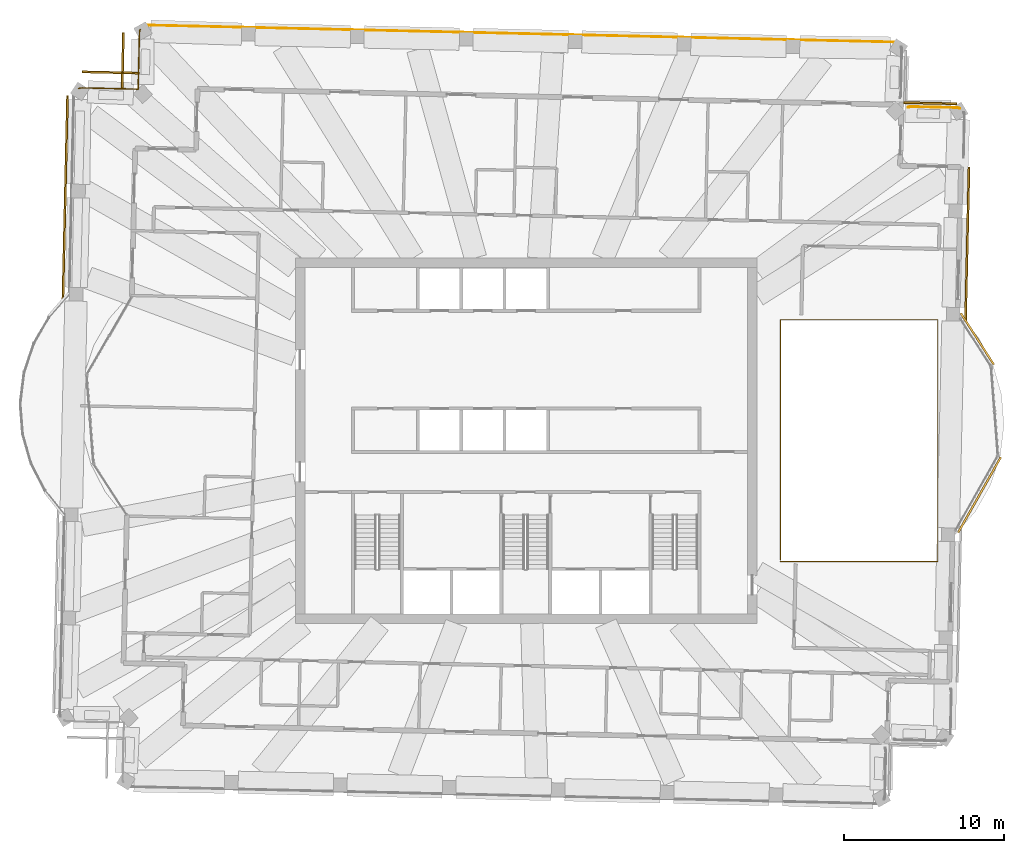
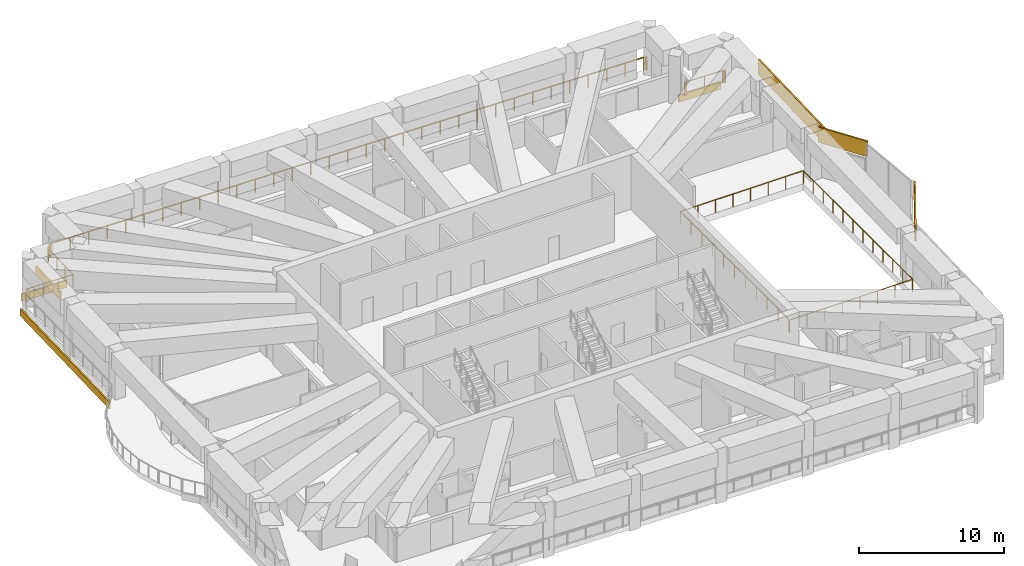
# One storey, part 16 of 17: 7 coverings, 4 railings.
"""IFC4 building model written with IfcOpenShell, lengths in metres."""

from ifc_helpers import new_model, si_unit, direction, frame, frame_2d, origin, origin_2d, place, context, subcontext, project, spatial, rectangle, extrude, material, layer, layer_set, type_object, element, save


model = new_model("IFC4")

# Units and contexts
model_context = context("Model", 3, precision=1e-05, world=origin(), true_north=direction((0.0, 1.0)))
body_context = subcontext(model_context, "Body", "Model", "MODEL_VIEW")
ifc_project = project(units=[si_unit("LENGTHUNIT", "METRE"), si_unit("AREAUNIT", "SQUARE_METRE"), si_unit("VOLUMEUNIT", "CUBIC_METRE"), si_unit("PLANEANGLEUNIT", "RADIAN"), si_unit("MASSUNIT", "GRAM", prefix="KILO")], contexts=[model_context])

# Site, building, storey
site_placement = place(None, origin())
site = spatial("IfcSite", under=ifc_project, at=site_placement, CompositionType="ELEMENT")
building_placement = place(site_placement, origin())
building = spatial("IfcBuilding", under=site, at=building_placement, Name="Mangrove Gate Tower", CompositionType="ELEMENT")
storey_placement = place(building_placement, frame((0.0, 0.0, 337.89990234375)))
storey = spatial("IfcBuildingStorey", under=building, at=storey_placement, Name="L86", CompositionType="ELEMENT", Elevation=337.89990234375)

# Railings
ifc_material_1 = material(Name="Stainless steel grade 316 with laminated glass infill", Category="steel")
railing_type = type_object("IfcRailingType", Name="Balcony guard 1100", PredefinedType="GUARDRAIL", material=ifc_material_1)
railing_1_placement = place(storey_placement, frame((15.860107421875, -7.5400390625, 0.0)))
element("IfcRailing", 1, at=railing_1_placement, inside=storey, type_object=railing_type, Name="GUARD L86 atrium", PredefinedType="GUARDRAIL", context=body_context, shape_type="SweptSolid", body=[
    extrude(rectangle(XDim=0.048095703125, YDim=0.048095703125, at=origin_2d()), frame((0.0, 0.0, 1.076171875), z_axis=(1.0, 0.0, 0.0), x_axis=(0.0, 1.0, 0.0)), (0.0, 0.0, 1.0), 9.802978515625),
    extrude(rectangle(XDim=0.048095703125, YDim=0.048095703125, at=origin_2d()), frame((9.802978515625, 0.0, 1.076171875), z_axis=(0.0, 1.0, 0.0), x_axis=(-1.0, 0.0, 0.0)), (0.0, 0.0, 1.0), 15.080078125),
    extrude(rectangle(XDim=0.048095703125, YDim=0.048095703125, at=origin_2d()), frame((9.802978515625, 15.080078125, 1.076171875), z_axis=(-1.0, 0.0, 0.0), x_axis=(0.0, -1.0, 0.0)), (0.0, 0.0, 1.0), 9.802978515625),
    extrude(rectangle(XDim=0.048095703125, YDim=0.048095703125, at=origin_2d()), frame((0.0, 15.080078125, 1.076171875), z_axis=(0.0, -1.0, 0.0), x_axis=(1.0, 0.0, 0.0)), (0.0, 0.0, 1.0), 14.9599609375),
    extrude(rectangle(XDim=0.0419921875, YDim=0.0419921875, at=origin_2d()), origin(), (0.0, 0.0, 1.0), 1.052001953125),
    extrude(rectangle(XDim=0.0419921875, YDim=0.0419921875, at=origin_2d()), frame((1.400390625, 0.0, 0.0)), (0.0, 0.0, 1.0), 1.052001953125),
    extrude(rectangle(XDim=0.0419921875, YDim=0.0419921875, at=origin_2d()), frame((2.80078125, 0.0, 0.0)), (0.0, 0.0, 1.0), 1.052001953125),
    extrude(rectangle(XDim=0.0419921875, YDim=0.0419921875, at=origin_2d()), frame((4.201171875, 0.0, 0.0)), (0.0, 0.0, 1.0), 1.052001953125),
    extrude(rectangle(XDim=0.0419921875, YDim=0.0419921875, at=origin_2d()), frame((5.601806640625, 0.0, 0.0)), (0.0, 0.0, 1.0), 1.052001953125),
    extrude(rectangle(XDim=0.0419921875, YDim=0.0419921875, at=origin_2d()), frame((7.002197265625, 0.0, 0.0)), (0.0, 0.0, 1.0), 1.052001953125),
    extrude(rectangle(XDim=0.0419921875, YDim=0.0419921875, at=origin_2d()), frame((8.402587890625, 0.0, 0.0)), (0.0, 0.0, 1.0), 1.052001953125),
    extrude(rectangle(XDim=0.0419921875, YDim=0.0419921875, at=origin_2d()), frame((9.802978515625, 0.0, 0.0)), (0.0, 0.0, 1.0), 1.052001953125),
    extrude(rectangle(XDim=0.0419921875, YDim=0.0419921875, at=origin_2d()), frame((9.802978515625, 1.370849609375, 0.0)), (0.0, 0.0, 1.0), 1.052001953125),
    extrude(rectangle(XDim=0.0419921875, YDim=0.0419921875, at=origin_2d()), frame((9.802978515625, 2.741943359375, 0.0)), (0.0, 0.0, 1.0), 1.052001953125),
    extrude(rectangle(XDim=0.0419921875, YDim=0.0419921875, at=origin_2d()), frame((9.802978515625, 4.11279296875, 0.0)), (0.0, 0.0, 1.0), 1.052001953125),
    extrude(rectangle(XDim=0.0419921875, YDim=0.0419921875, at=origin_2d()), frame((9.802978515625, 5.483642578125, 0.0)), (0.0, 0.0, 1.0), 1.052001953125),
    extrude(rectangle(XDim=0.0419921875, YDim=0.0419921875, at=origin_2d()), frame((9.802978515625, 6.8544921875, 0.0)), (0.0, 0.0, 1.0), 1.052001953125),
    extrude(rectangle(XDim=0.0419921875, YDim=0.0419921875, at=origin_2d()), frame((9.802978515625, 8.2255859375, 0.0)), (0.0, 0.0, 1.0), 1.052001953125),
    extrude(rectangle(XDim=0.0419921875, YDim=0.0419921875, at=origin_2d()), frame((9.802978515625, 9.596435546875, 0.0)), (0.0, 0.0, 1.0), 1.052001953125),
    extrude(rectangle(XDim=0.0419921875, YDim=0.0419921875, at=origin_2d()), frame((9.802978515625, 10.96728515625, 0.0)), (0.0, 0.0, 1.0), 1.052001953125),
    extrude(rectangle(XDim=0.0419921875, YDim=0.0419921875, at=origin_2d()), frame((9.802978515625, 12.338134765625, 0.0)), (0.0, 0.0, 1.0), 1.052001953125),
    extrude(rectangle(XDim=0.0419921875, YDim=0.0419921875, at=origin_2d()), frame((9.802978515625, 13.709228515625, 0.0)), (0.0, 0.0, 1.0), 1.052001953125),
    extrude(rectangle(XDim=0.0419921875, YDim=0.0419921875, at=origin_2d()), frame((9.802978515625, 15.080078125, 0.0)), (0.0, 0.0, 1.0), 1.052001953125),
    extrude(rectangle(XDim=0.0419921875, YDim=0.0419921875, at=origin_2d()), frame((8.402587890625, 15.080078125, 0.0)), (0.0, 0.0, 1.0), 1.052001953125),
    extrude(rectangle(XDim=0.0419921875, YDim=0.0419921875, at=origin_2d()), frame((7.002197265625, 15.080078125, 0.0)), (0.0, 0.0, 1.0), 1.052001953125),
    extrude(rectangle(XDim=0.0419921875, YDim=0.0419921875, at=origin_2d()), frame((5.601806640625, 15.080078125, 0.0)), (0.0, 0.0, 1.0), 1.052001953125),
    extrude(rectangle(XDim=0.0419921875, YDim=0.0419921875, at=origin_2d()), frame((4.201171875, 15.080078125, 0.0)), (0.0, 0.0, 1.0), 1.052001953125),
    extrude(rectangle(XDim=0.0419921875, YDim=0.0419921875, at=origin_2d()), frame((2.80078125, 15.080078125, 0.0)), (0.0, 0.0, 1.0), 1.052001953125),
    extrude(rectangle(XDim=0.0419921875, YDim=0.0419921875, at=origin_2d()), frame((1.400390625, 15.080078125, 0.0)), (0.0, 0.0, 1.0), 1.052001953125),
    extrude(rectangle(XDim=0.0419921875, YDim=0.0419921875, at=origin_2d()), frame((0.0, 15.080078125, 0.0)), (0.0, 0.0, 1.0), 1.052001953125),
    extrude(rectangle(XDim=0.0419921875, YDim=0.0419921875, at=origin_2d()), frame((0.0, 13.583984375, 0.0)), (0.0, 0.0, 1.0), 1.052001953125),
    extrude(rectangle(XDim=0.0419921875, YDim=0.0419921875, at=origin_2d()), frame((0.0, 12.088134765625, 0.0)), (0.0, 0.0, 1.0), 1.052001953125),
    extrude(rectangle(XDim=0.0419921875, YDim=0.0419921875, at=origin_2d()), frame((0.0, 10.592041015625, 0.0)), (0.0, 0.0, 1.0), 1.052001953125),
    extrude(rectangle(XDim=0.0419921875, YDim=0.0419921875, at=origin_2d()), frame((0.0, 9.09619140625, 0.0)), (0.0, 0.0, 1.0), 1.052001953125),
    extrude(rectangle(XDim=0.0419921875, YDim=0.0419921875, at=origin_2d()), frame((0.0, 7.60009765625, 0.0)), (0.0, 0.0, 1.0), 1.052001953125),
    extrude(rectangle(XDim=0.0419921875, YDim=0.0419921875, at=origin_2d()), frame((0.0, 6.10400390625, 0.0)), (0.0, 0.0, 1.0), 1.052001953125),
    extrude(rectangle(XDim=0.0419921875, YDim=0.0419921875, at=origin_2d()), frame((0.0, 4.608154296875, 0.0)), (0.0, 0.0, 1.0), 1.052001953125),
    extrude(rectangle(XDim=0.0419921875, YDim=0.0419921875, at=origin_2d()), frame((0.0, 3.112060546875, 0.0)), (0.0, 0.0, 1.0), 1.052001953125),
    extrude(rectangle(XDim=0.0419921875, YDim=0.0419921875, at=origin_2d()), frame((0.0, 1.6162109375, 0.0)), (0.0, 0.0, 1.0), 1.052001953125),
    extrude(rectangle(XDim=0.0419921875, YDim=0.0419921875, at=origin_2d()), frame((0.0, 0.1201171875, 0.0)), (0.0, 0.0, 1.0), 1.052001953125),
])
railing_2_placement = place(storey_placement, frame((23.823974609375, 20.778076171875, 0.0)))
element("IfcRailing", 2, at=railing_2_placement, inside=storey, type_object=railing_type, Name="GUARD L86 T1.1", PredefinedType="GUARDRAIL", context=body_context, shape_type="SweptSolid", body=[
    extrude(rectangle(XDim=0.048095703125, YDim=0.048095703125, at=origin_2d()), frame((0.0, 0.0, 1.076171875), z_axis=(0.916361402872, 0.400352069216, 0.0), x_axis=(-0.400352069216, 0.916361402872, 0.0)), (0.0, 0.0, 1.0), 0.02734375),
    extrude(rectangle(XDim=0.048095703125, YDim=0.048095703125, at=origin_2d()), frame((0.025146484375, 0.010986328125, 1.076171875), z_axis=(0.947192919233, 0.320664269532, 0.0), x_axis=(-0.320664269532, 0.947192919233, 0.0)), (0.0, 0.0, 1.0), 0.049560546875),
    extrude(rectangle(XDim=0.048095703125, YDim=0.048095703125, at=origin_2d()), frame((0.072021484375, 0.02685546875, 1.076171875), z_axis=(0.974889210585, 0.222690428814, 0.0), x_axis=(-0.222690428814, 0.974889210585, 0.0)), (0.0, 0.0, 1.0), 0.04931640625),
    extrude(rectangle(XDim=0.048095703125, YDim=0.048095703125, at=origin_2d()), frame((0.1201171875, 0.037841796875, 1.076171875), z_axis=(0.992277876714, 0.124034734589, 0.0), x_axis=(-0.124034734589, 0.992277876714, 0.0)), (0.0, 0.0, 1.0), 0.04931640625),
    extrude(rectangle(XDim=0.048095703125, YDim=0.048095703125, at=origin_2d()), frame((0.1689453125, 0.0439453125, 1.076171875), z_axis=(0.999802043895, 0.019896558087, 0.0), x_axis=(-0.019896558087, 0.999802043895, 0.0)), (0.0, 0.0, 1.0), 0.049072265625),
    extrude(rectangle(XDim=0.048095703125, YDim=0.048095703125, at=origin_2d()), frame((0.218017578125, 0.044921875, 1.076171875), z_axis=(0.999746897525, -0.022497575191, 0.0), x_axis=(0.022497575191, 0.999746897525, 0.0)), (0.0, 0.0, 1.0), 2.7998046875),
    extrude(rectangle(XDim=0.048095703125, YDim=0.048095703125, at=origin_2d()), frame((3.01708984375, -0.01806640625, 1.076171875), z_axis=(0.996815278536, -0.079745222283, 0.0), x_axis=(0.079745222283, 0.996815278536, 0.0)), (0.0, 0.0, 1.0), 0.049072265625),
    extrude(rectangle(XDim=0.048095703125, YDim=0.048095703125, at=origin_2d()), frame((3.06591796875, -0.02197265625, 1.076171875), z_axis=(0.986258281976, -0.165210778199, 0.0), x_axis=(0.165210778199, 0.986258281976, 0.0)), (0.0, 0.0, 1.0), 0.048828125),
    extrude(rectangle(XDim=0.048095703125, YDim=0.048095703125, at=origin_2d()), frame((3.114013671875, -0.030029296875, 1.076171875), z_axis=(0.964301134924, -0.264808083684, 0.0), x_axis=(0.264808083684, 0.964301134924, 0.0)), (0.0, 0.0, 1.0), 0.048828125),
    extrude(rectangle(XDim=0.048095703125, YDim=0.048095703125, at=origin_2d()), frame((3.1611328125, -0.04296875, 1.076171875), z_axis=(0.930510652004, -0.366264831108, 0.0), x_axis=(0.366264831108, 0.930510652004, 0.0)), (0.0, 0.0, 1.0), 0.04931640625),
    extrude(rectangle(XDim=0.048095703125, YDim=0.048095703125, at=origin_2d()), frame((3.20703125, -0.06103515625, 1.076171875), z_axis=(0.901385111422, -0.43301833784, 0.0), x_axis=(0.43301833784, 0.901385111422, 0.0)), (0.0, 0.0, 1.0), 0.027587890625),
    extrude(rectangle(XDim=0.0419921875, YDim=0.0419921875, at=origin_2d()), origin(), (0.0, 0.0, 1.0), 1.052001953125),
    extrude(rectangle(XDim=0.0419921875, YDim=0.0419921875, at=origin_2d()), frame((0.025146484375, 0.010986328125, 0.0)), (0.0, 0.0, 1.0), 1.052001953125),
    extrude(rectangle(XDim=0.0419921875, YDim=0.0419921875, at=origin_2d()), frame((0.072021484375, 0.02685546875, 0.0)), (0.0, 0.0, 1.0), 1.052001953125),
    extrude(rectangle(XDim=0.0419921875, YDim=0.0419921875, at=origin_2d()), frame((0.1201171875, 0.037841796875, 0.0)), (0.0, 0.0, 1.0), 1.052001953125),
    extrude(rectangle(XDim=0.0419921875, YDim=0.0419921875, at=origin_2d()), frame((0.1689453125, 0.0439453125, 0.0)), (0.0, 0.0, 1.0), 1.052001953125),
    extrude(rectangle(XDim=0.0419921875, YDim=0.0419921875, at=origin_2d()), frame((0.218017578125, 0.044921875, 0.0)), (0.0, 0.0, 1.0), 1.052001953125),
    extrude(rectangle(XDim=0.0419921875, YDim=0.0419921875, at=origin_2d()), frame((1.61767578125, 0.013427734375, 0.0)), (0.0, 0.0, 1.0), 1.052001953125),
    extrude(rectangle(XDim=0.0419921875, YDim=0.0419921875, at=origin_2d()), frame((3.01708984375, -0.01806640625, 0.0)), (0.0, 0.0, 1.0), 1.052001953125),
    extrude(rectangle(XDim=0.0419921875, YDim=0.0419921875, at=origin_2d()), frame((3.06591796875, -0.02197265625, 0.0)), (0.0, 0.0, 1.0), 1.052001953125),
    extrude(rectangle(XDim=0.0419921875, YDim=0.0419921875, at=origin_2d()), frame((3.114013671875, -0.030029296875, 0.0)), (0.0, 0.0, 1.0), 1.052001953125),
    extrude(rectangle(XDim=0.0419921875, YDim=0.0419921875, at=origin_2d()), frame((3.1611328125, -0.04296875, 0.0)), (0.0, 0.0, 1.0), 1.052001953125),
    extrude(rectangle(XDim=0.0419921875, YDim=0.0419921875, at=origin_2d()), frame((3.20703125, -0.06103515625, 0.0)), (0.0, 0.0, 1.0), 1.052001953125),
    extrude(rectangle(XDim=0.0419921875, YDim=0.0419921875, at=origin_2d()), frame((3.23193359375, -0.072998046875, 0.0)), (0.0, 0.0, 1.0), 1.052001953125),
])
railing_3_placement = place(storey_placement, frame((-27.9130859375, 21.951904296875, 0.0)))
element("IfcRailing", 3, at=railing_3_placement, inside=storey, type_object=railing_type, Name="GUARD L86 T3.2", PredefinedType="GUARDRAIL", context=body_context, shape_type="SweptSolid", body=[
    extrude(rectangle(XDim=0.048095703125, YDim=0.048095703125, at=origin_2d()), frame((0.0, 0.0, 1.076171875), z_axis=(0.905966711775, 0.423348930736, 0.0), x_axis=(-0.423348930736, 0.905966711775, 0.0)), (0.0, 0.0, 1.0), 0.02880859375),
    extrude(rectangle(XDim=0.048095703125, YDim=0.048095703125, at=origin_2d()), frame((0.026123046875, 0.01220703125, 1.076171875), z_axis=(0.95118268282, 0.308628423681, 0.0), x_axis=(-0.308628423681, 0.95118268282, 0.0)), (0.0, 0.0, 1.0), 0.04833984375),
    extrude(rectangle(XDim=0.048095703125, YDim=0.048095703125, at=origin_2d()), frame((0.072021484375, 0.027099609375, 1.076171875), z_axis=(0.974889210585, 0.222690428814, 0.0), x_axis=(-0.222690428814, 0.974889210585, 0.0)), (0.0, 0.0, 1.0), 0.04931640625),
    extrude(rectangle(XDim=0.048095703125, YDim=0.048095703125, at=origin_2d()), frame((0.1201171875, 0.0380859375, 1.076171875), z_axis=(0.992353645783, 0.123427070371, 0.0), x_axis=(-0.123427070371, 0.992353645783, 0.0)), (0.0, 0.0, 1.0), 0.049560546875),
    extrude(rectangle(XDim=0.048095703125, YDim=0.048095703125, at=origin_2d()), frame((0.169189453125, 0.044189453125, 1.076171875), z_axis=(0.99980005998, 0.0199960012, 0.0), x_axis=(-0.0199960012, 0.99980005998, 0.0)), (0.0, 0.0, 1.0), 0.048828125),
    extrude(rectangle(XDim=0.048095703125, YDim=0.048095703125, at=origin_2d()), frame((0.218017578125, 0.045166015625, 1.076171875), z_axis=(0.999742810293, -0.022678475848, 0.0), x_axis=(0.022678475848, 0.999742810293, 0.0)), (0.0, 0.0, 1.0), 3.488037109375),
    extrude(rectangle(XDim=0.048095703125, YDim=0.048095703125, at=origin_2d()), frame((3.705078125, -0.033935546875, 1.076171875), z_axis=(1.0, 0.0, 0.0), x_axis=(0.0, 1.0, 0.0)), (0.0, 0.0, 1.0), 0.010986328125),
    extrude(rectangle(XDim=0.048095703125, YDim=0.048095703125, at=origin_2d()), frame((3.716064453125, -0.033935546875, 1.076171875), z_axis=(0.081362009455, 0.996684615823, 0.0), x_axis=(-0.996684615823, 0.081362009455, 0.0)), (0.0, 0.0, 1.0), 0.011962890625),
    extrude(rectangle(XDim=0.048095703125, YDim=0.048095703125, at=origin_2d()), frame((3.717041015625, -0.02197265625, 1.076171875), z_axis=(0.022678475848, 0.999742810293, 0.0), x_axis=(-0.999742810293, 0.022678475848, 0.0)), (0.0, 0.0, 1.0), 3.488037109375),
    extrude(rectangle(XDim=0.048095703125, YDim=0.048095703125, at=origin_2d()), frame((3.796142578125, 3.465087890625, 1.076171875), z_axis=(0.079350984209, 0.996846739125, 0.0), x_axis=(-0.996846739125, 0.079350984209, 0.0)), (0.0, 0.0, 1.0), 0.04931640625),
    extrude(rectangle(XDim=0.048095703125, YDim=0.048095703125, at=origin_2d()), frame((3.800048828125, 3.51416015625, 1.076171875), z_axis=(0.166030511863, 0.986120615914, 0.0), x_axis=(-0.986120615914, 0.166030511863, 0.0)), (0.0, 0.0, 1.0), 0.048583984375),
    extrude(rectangle(XDim=0.048095703125, YDim=0.048095703125, at=origin_2d()), frame((3.80810546875, 3.56201171875, 1.076171875), z_axis=(0.259797678908, 0.965663070659, 0.0), x_axis=(-0.965663070659, 0.259797678908, 0.0)), (0.0, 0.0, 1.0), 0.0498046875),
    extrude(rectangle(XDim=0.048095703125, YDim=0.048095703125, at=origin_2d()), frame((3.821044921875, 3.610107421875, 1.076171875), z_axis=(0.373128742496, 0.927779575936, 0.0), x_axis=(-0.927779575936, 0.373128742496, 0.0)), (0.0, 0.0, 1.0), 0.04833984375),
    extrude(rectangle(XDim=0.048095703125, YDim=0.048095703125, at=origin_2d()), frame((3.839111328125, 3.655029296875, 1.076171875), z_axis=(0.429593233056, 0.903022510302, 0.0), x_axis=(-0.903022510302, 0.429593233056, 0.0)), (0.0, 0.0, 1.0), 0.02783203125),
    extrude(rectangle(XDim=0.0419921875, YDim=0.0419921875, at=origin_2d()), origin(), (0.0, 0.0, 1.0), 1.052001953125),
    extrude(rectangle(XDim=0.0419921875, YDim=0.0419921875, at=origin_2d()), frame((0.026123046875, 0.01220703125, 0.0)), (0.0, 0.0, 1.0), 1.052001953125),
    extrude(rectangle(XDim=0.0419921875, YDim=0.0419921875, at=origin_2d()), frame((0.072021484375, 0.027099609375, 0.0)), (0.0, 0.0, 1.0), 1.052001953125),
    extrude(rectangle(XDim=0.0419921875, YDim=0.0419921875, at=origin_2d()), frame((0.1201171875, 0.0380859375, 0.0)), (0.0, 0.0, 1.0), 1.052001953125),
    extrude(rectangle(XDim=0.0419921875, YDim=0.0419921875, at=origin_2d()), frame((0.169189453125, 0.044189453125, 0.0)), (0.0, 0.0, 1.0), 1.052001953125),
    extrude(rectangle(XDim=0.0419921875, YDim=0.0419921875, at=origin_2d()), frame((0.218017578125, 0.045166015625, 0.0)), (0.0, 0.0, 1.0), 1.052001953125),
    extrude(rectangle(XDim=0.0419921875, YDim=0.0419921875, at=origin_2d()), frame((1.38037109375, 0.018798828125, 0.0)), (0.0, 0.0, 1.0), 1.052001953125),
    extrude(rectangle(XDim=0.0419921875, YDim=0.0419921875, at=origin_2d()), frame((2.542724609375, -0.007568359375, 0.0)), (0.0, 0.0, 1.0), 1.052001953125),
    extrude(rectangle(XDim=0.0419921875, YDim=0.0419921875, at=origin_2d()), frame((3.705078125, -0.033935546875, 0.0)), (0.0, 0.0, 1.0), 1.052001953125),
    extrude(rectangle(XDim=0.0419921875, YDim=0.0419921875, at=origin_2d()), frame((3.716064453125, -0.033935546875, 0.0)), (0.0, 0.0, 1.0), 1.052001953125),
    extrude(rectangle(XDim=0.0419921875, YDim=0.0419921875, at=origin_2d()), frame((3.717041015625, -0.02197265625, 0.0)), (0.0, 0.0, 1.0), 1.052001953125),
    extrude(rectangle(XDim=0.0419921875, YDim=0.0419921875, at=origin_2d()), frame((3.743408203125, 1.140380859375, 0.0)), (0.0, 0.0, 1.0), 1.052001953125),
    extrude(rectangle(XDim=0.0419921875, YDim=0.0419921875, at=origin_2d()), frame((3.769775390625, 2.302734375, 0.0)), (0.0, 0.0, 1.0), 1.052001953125),
    extrude(rectangle(XDim=0.0419921875, YDim=0.0419921875, at=origin_2d()), frame((3.796142578125, 3.465087890625, 0.0)), (0.0, 0.0, 1.0), 1.052001953125),
    extrude(rectangle(XDim=0.0419921875, YDim=0.0419921875, at=origin_2d()), frame((3.800048828125, 3.51416015625, 0.0)), (0.0, 0.0, 1.0), 1.052001953125),
    extrude(rectangle(XDim=0.0419921875, YDim=0.0419921875, at=origin_2d()), frame((3.80810546875, 3.56201171875, 0.0)), (0.0, 0.0, 1.0), 1.052001953125),
    extrude(rectangle(XDim=0.0419921875, YDim=0.0419921875, at=origin_2d()), frame((3.821044921875, 3.610107421875, 0.0)), (0.0, 0.0, 1.0), 1.052001953125),
    extrude(rectangle(XDim=0.0419921875, YDim=0.0419921875, at=origin_2d()), frame((3.839111328125, 3.655029296875, 0.0)), (0.0, 0.0, 1.0), 1.052001953125),
    extrude(rectangle(XDim=0.0419921875, YDim=0.0419921875, at=origin_2d()), frame((3.85107421875, 3.68017578125, 0.0)), (0.0, 0.0, 1.0), 1.052001953125),
])
railing_4_placement = place(storey_placement, frame((-23.822998046875, 25.860107421875, 0.0)))
element("IfcRailing", 4, at=railing_4_placement, inside=storey, type_object=railing_type, Name="GUARD L86 T3.3", PredefinedType="GUARDRAIL", context=body_context, shape_type="SweptSolid", body=[
    extrude(rectangle(XDim=0.048095703125, YDim=0.048095703125, at=origin_2d()), frame((0.0, 0.0, 1.076171875), z_axis=(0.901385111422, 0.43301833784, 0.0), x_axis=(-0.43301833784, 0.901385111422, 0.0)), (0.0, 0.0, 1.0), 0.027587890625),
    extrude(rectangle(XDim=0.048095703125, YDim=0.048095703125, at=origin_2d()), frame((0.02490234375, 0.011962890625, 1.076171875), z_axis=(0.953507968982, 0.301367803668, 0.0), x_axis=(-0.301367803668, 0.953507968982, 0.0)), (0.0, 0.0, 1.0), 0.04931640625),
    extrude(rectangle(XDim=0.048095703125, YDim=0.048095703125, at=origin_2d()), frame((0.072021484375, 0.02685546875, 1.076171875), z_axis=(0.974889210585, 0.222690428814, 0.0), x_axis=(-0.222690428814, 0.974889210585, 0.0)), (0.0, 0.0, 1.0), 0.04931640625),
    extrude(rectangle(XDim=0.048095703125, YDim=0.048095703125, at=origin_2d()), frame((0.1201171875, 0.037841796875, 1.076171875), z_axis=(0.992277876714, 0.124034734589, 0.0), x_axis=(-0.124034734589, 0.992277876714, 0.0)), (0.0, 0.0, 1.0), 0.04931640625),
    extrude(rectangle(XDim=0.048095703125, YDim=0.048095703125, at=origin_2d()), frame((0.1689453125, 0.0439453125, 1.076171875), z_axis=(0.999802043895, 0.019896558087, 0.0), x_axis=(-0.019896558087, 0.999802043895, 0.0)), (0.0, 0.0, 1.0), 0.049072265625),
    extrude(rectangle(XDim=0.048095703125, YDim=0.048095703125, at=origin_2d()), frame((0.218017578125, 0.044921875, 1.076171875), z_axis=(0.999742701261, -0.022683281833, 0.0), x_axis=(0.022683281833, 0.999742701261, 0.0)), (0.0, 0.0, 1.0), 46.550048828125),
    extrude(rectangle(XDim=0.048095703125, YDim=0.048095703125, at=origin_2d()), frame((46.756103515625, -1.010986328125, 1.076171875), z_axis=(0.997894170503, -0.064863121083, 0.0), x_axis=(0.064863121083, 0.997894170503, 0.0)), (0.0, 0.0, 1.0), 0.048828125),
    extrude(rectangle(XDim=0.048095703125, YDim=0.048095703125, at=origin_2d()), frame((46.804931640625, -1.01416015625, 1.076171875), z_axis=(0.986258281976, -0.165210778199, 0.0), x_axis=(0.165210778199, 0.986258281976, 0.0)), (0.0, 0.0, 1.0), 0.048828125),
    extrude(rectangle(XDim=0.048095703125, YDim=0.048095703125, at=origin_2d()), frame((46.85302734375, -1.022216796875, 1.076171875), z_axis=(0.963948224108, -0.266089874363, 0.0), x_axis=(0.266089874363, 0.963948224108, 0.0)), (0.0, 0.0, 1.0), 0.048583984375),
    extrude(rectangle(XDim=0.048095703125, YDim=0.048095703125, at=origin_2d()), frame((46.89990234375, -1.03515625, 1.076171875), z_axis=(0.931170070305, -0.364585106892, 0.0), x_axis=(0.364585106892, 0.931170070305, 0.0)), (0.0, 0.0, 1.0), 0.049560546875),
    extrude(rectangle(XDim=0.048095703125, YDim=0.048095703125, at=origin_2d()), frame((46.946044921875, -1.05322265625, 1.076171875), z_axis=(0.887359195726, -0.461078797779, 0.0), x_axis=(0.461078797779, 0.887359195726, 0.0)), (0.0, 0.0, 1.0), 0.028076171875),
    extrude(rectangle(XDim=0.0419921875, YDim=0.0419921875, at=origin_2d()), origin(), (0.0, 0.0, 1.0), 1.052001953125),
    extrude(rectangle(XDim=0.0419921875, YDim=0.0419921875, at=origin_2d()), frame((0.02490234375, 0.011962890625, 0.0)), (0.0, 0.0, 1.0), 1.052001953125),
    extrude(rectangle(XDim=0.0419921875, YDim=0.0419921875, at=origin_2d()), frame((0.072021484375, 0.02685546875, 0.0)), (0.0, 0.0, 1.0), 1.052001953125),
    extrude(rectangle(XDim=0.0419921875, YDim=0.0419921875, at=origin_2d()), frame((0.1201171875, 0.037841796875, 0.0)), (0.0, 0.0, 1.0), 1.052001953125),
    extrude(rectangle(XDim=0.0419921875, YDim=0.0419921875, at=origin_2d()), frame((0.1689453125, 0.0439453125, 0.0)), (0.0, 0.0, 1.0), 1.052001953125),
    extrude(rectangle(XDim=0.0419921875, YDim=0.0419921875, at=origin_2d()), frame((0.218017578125, 0.044921875, 0.0)), (0.0, 0.0, 1.0), 1.052001953125),
    extrude(rectangle(XDim=0.0419921875, YDim=0.0419921875, at=origin_2d()), frame((1.67236328125, 0.011962890625, 0.0)), (0.0, 0.0, 1.0), 1.052001953125),
    extrude(rectangle(XDim=0.0419921875, YDim=0.0419921875, at=origin_2d()), frame((3.126708984375, -0.02099609375, 0.0)), (0.0, 0.0, 1.0), 1.052001953125),
    extrude(rectangle(XDim=0.0419921875, YDim=0.0419921875, at=origin_2d()), frame((4.5810546875, -0.053955078125, 0.0)), (0.0, 0.0, 1.0), 1.052001953125),
    extrude(rectangle(XDim=0.0419921875, YDim=0.0419921875, at=origin_2d()), frame((6.03515625, -0.087158203125, 0.0)), (0.0, 0.0, 1.0), 1.052001953125),
    extrude(rectangle(XDim=0.0419921875, YDim=0.0419921875, at=origin_2d()), frame((7.489501953125, -0.1201171875, 0.0)), (0.0, 0.0, 1.0), 1.052001953125),
    extrude(rectangle(XDim=0.0419921875, YDim=0.0419921875, at=origin_2d()), frame((8.94384765625, -0.153076171875, 0.0)), (0.0, 0.0, 1.0), 1.052001953125),
    extrude(rectangle(XDim=0.0419921875, YDim=0.0419921875, at=origin_2d()), frame((10.398193359375, -0.18603515625, 0.0)), (0.0, 0.0, 1.0), 1.052001953125),
    extrude(rectangle(XDim=0.0419921875, YDim=0.0419921875, at=origin_2d()), frame((11.8525390625, -0.218994140625, 0.0)), (0.0, 0.0, 1.0), 1.052001953125),
    extrude(rectangle(XDim=0.0419921875, YDim=0.0419921875, at=origin_2d()), frame((13.306884765625, -0.251953125, 0.0)), (0.0, 0.0, 1.0), 1.052001953125),
    extrude(rectangle(XDim=0.0419921875, YDim=0.0419921875, at=origin_2d()), frame((14.76123046875, -0.28515625, 0.0)), (0.0, 0.0, 1.0), 1.052001953125),
    extrude(rectangle(XDim=0.0419921875, YDim=0.0419921875, at=origin_2d()), frame((16.215576171875, -0.318115234375, 0.0)), (0.0, 0.0, 1.0), 1.052001953125),
    extrude(rectangle(XDim=0.0419921875, YDim=0.0419921875, at=origin_2d()), frame((17.669921875, -0.35107421875, 0.0)), (0.0, 0.0, 1.0), 1.052001953125),
    extrude(rectangle(XDim=0.0419921875, YDim=0.0419921875, at=origin_2d()), frame((19.1240234375, -0.384033203125, 0.0)), (0.0, 0.0, 1.0), 1.052001953125),
    extrude(rectangle(XDim=0.0419921875, YDim=0.0419921875, at=origin_2d()), frame((20.578369140625, -0.4169921875, 0.0)), (0.0, 0.0, 1.0), 1.052001953125),
    extrude(rectangle(XDim=0.0419921875, YDim=0.0419921875, at=origin_2d()), frame((22.03271484375, -0.449951171875, 0.0)), (0.0, 0.0, 1.0), 1.052001953125),
    extrude(rectangle(XDim=0.0419921875, YDim=0.0419921875, at=origin_2d()), frame((23.487060546875, -0.48291015625, 0.0)), (0.0, 0.0, 1.0), 1.052001953125),
    extrude(rectangle(XDim=0.0419921875, YDim=0.0419921875, at=origin_2d()), frame((24.94140625, -0.51611328125, 0.0)), (0.0, 0.0, 1.0), 1.052001953125),
    extrude(rectangle(XDim=0.0419921875, YDim=0.0419921875, at=origin_2d()), frame((26.395751953125, -0.549072265625, 0.0)), (0.0, 0.0, 1.0), 1.052001953125),
    extrude(rectangle(XDim=0.0419921875, YDim=0.0419921875, at=origin_2d()), frame((27.85009765625, -0.58203125, 0.0)), (0.0, 0.0, 1.0), 1.052001953125),
    extrude(rectangle(XDim=0.0419921875, YDim=0.0419921875, at=origin_2d()), frame((29.30419921875, -0.614990234375, 0.0)), (0.0, 0.0, 1.0), 1.052001953125),
    extrude(rectangle(XDim=0.0419921875, YDim=0.0419921875, at=origin_2d()), frame((30.758544921875, -0.64794921875, 0.0)), (0.0, 0.0, 1.0), 1.052001953125),
    extrude(rectangle(XDim=0.0419921875, YDim=0.0419921875, at=origin_2d()), frame((32.212890625, -0.680908203125, 0.0)), (0.0, 0.0, 1.0), 1.052001953125),
    extrude(rectangle(XDim=0.0419921875, YDim=0.0419921875, at=origin_2d()), frame((33.667236328125, -0.714111328125, 0.0)), (0.0, 0.0, 1.0), 1.052001953125),
    extrude(rectangle(XDim=0.0419921875, YDim=0.0419921875, at=origin_2d()), frame((35.12158203125, -0.7470703125, 0.0)), (0.0, 0.0, 1.0), 1.052001953125),
    extrude(rectangle(XDim=0.0419921875, YDim=0.0419921875, at=origin_2d()), frame((36.575927734375, -0.780029296875, 0.0)), (0.0, 0.0, 1.0), 1.052001953125),
    extrude(rectangle(XDim=0.0419921875, YDim=0.0419921875, at=origin_2d()), frame((38.0302734375, -0.81298828125, 0.0)), (0.0, 0.0, 1.0), 1.052001953125),
    extrude(rectangle(XDim=0.0419921875, YDim=0.0419921875, at=origin_2d()), frame((39.484619140625, -0.845947265625, 0.0)), (0.0, 0.0, 1.0), 1.052001953125),
    extrude(rectangle(XDim=0.0419921875, YDim=0.0419921875, at=origin_2d()), frame((40.93896484375, -0.87890625, 0.0)), (0.0, 0.0, 1.0), 1.052001953125),
    extrude(rectangle(XDim=0.0419921875, YDim=0.0419921875, at=origin_2d()), frame((42.39306640625, -0.912109375, 0.0)), (0.0, 0.0, 1.0), 1.052001953125),
    extrude(rectangle(XDim=0.0419921875, YDim=0.0419921875, at=origin_2d()), frame((43.847412109375, -0.945068359375, 0.0)), (0.0, 0.0, 1.0), 1.052001953125),
    extrude(rectangle(XDim=0.0419921875, YDim=0.0419921875, at=origin_2d()), frame((45.3017578125, -0.97802734375, 0.0)), (0.0, 0.0, 1.0), 1.052001953125),
    extrude(rectangle(XDim=0.0419921875, YDim=0.0419921875, at=origin_2d()), frame((46.756103515625, -1.010986328125, 0.0)), (0.0, 0.0, 1.0), 1.052001953125),
    extrude(rectangle(XDim=0.0419921875, YDim=0.0419921875, at=origin_2d()), frame((46.804931640625, -1.01416015625, 0.0)), (0.0, 0.0, 1.0), 1.052001953125),
    extrude(rectangle(XDim=0.0419921875, YDim=0.0419921875, at=origin_2d()), frame((46.85302734375, -1.022216796875, 0.0)), (0.0, 0.0, 1.0), 1.052001953125),
    extrude(rectangle(XDim=0.0419921875, YDim=0.0419921875, at=origin_2d()), frame((46.89990234375, -1.03515625, 0.0)), (0.0, 0.0, 1.0), 1.052001953125),
    extrude(rectangle(XDim=0.0419921875, YDim=0.0419921875, at=origin_2d()), frame((46.946044921875, -1.05322265625, 0.0)), (0.0, 0.0, 1.0), 1.052001953125),
    extrude(rectangle(XDim=0.0419921875, YDim=0.0419921875, at=origin_2d()), frame((46.970947265625, -1.066162109375, 0.0)), (0.0, 0.0, 1.0), 1.052001953125),
])

# Coverings
ifc_material_2 = material(Name="Limestone", Category="masonry")
ifc_layer_1 = layer(ifc_material_2, 0.0400390625, Name="Limestone cladding")
ifc_material_3 = material(Name="Stainless steel anchors and cavity", Category="steel")
ifc_layer_2 = layer(ifc_material_3, 0.080078125, Name="Fixing cavity")
ifc_layer_set = layer_set([ifc_layer_1, ifc_layer_2], Name="Joint fascia cladding 120")
covering_type = type_object("IfcCoveringType", Name="Joint fascia cladding 120", PredefinedType="CLADDING", material=ifc_layer_set)
covering_1_placement = place(storey_placement, frame((26.93505859375, -5.72802734375, 2.75), z_axis=(0.0, 0.0, 1.0), x_axis=(0.492632476538, 0.870237463604, 0.0)))
element("IfcCovering", 5, at=covering_1_placement, inside=storey, type_object=covering_type, Name="STONE FASCIA L86 E1.L1", PredefinedType="CLADDING", context=body_context, shape_type="SweptSolid", body=[
    extrude(rectangle(XDim=5.3974609375, YDim=0.1201171875, at=frame_2d((2.69873046875, 0.0))), origin(), (0.0, 0.0, 1.0), 1.300048828125),
])
covering_2_placement = place(storey_placement, frame((29.158935546875, 4.742919921875, 2.75), z_axis=(0.0, 0.0, 1.0), x_axis=(-0.540573367362, 0.841296876554, 0.0)))
element("IfcCovering", 6, at=covering_2_placement, inside=storey, type_object=covering_type, Name="STONE FASCIA L86 E1.L2", PredefinedType="CLADDING", context=body_context, shape_type="SweptSolid", body=[
    extrude(rectangle(XDim=3.818115234375, YDim=0.1201171875, at=frame_2d((1.9091796875, 0.0))), origin(), (0.0, 0.0, 1.0), 1.300048828125),
])
covering_3_placement = place(storey_placement, frame((27.39306640625, 7.468994140625, 2.75), z_axis=(0.0, 0.0, 1.0), x_axis=(0.022668695782, 0.9997430321, 0.0)))
element("IfcCovering", 7, at=covering_3_placement, inside=storey, type_object=covering_type, Name="STONE FASCIA L86 E2.1", PredefinedType="CLADDING", context=body_context, shape_type="SweptSolid", body=[
    extrude(rectangle(XDim=9.574462890625, YDim=0.1201171875, at=frame_2d((4.787109375, 0.0))), origin(), (0.0, 0.0, 1.0), 1.300048828125),
])
covering_4_placement = place(storey_placement, frame((23.54736328125, 21.079345703125, -0.599853515625), z_axis=(0.0, 0.0, 1.0), x_axis=(0.999745300115, -0.022568449155, 0.0)))
element("IfcCovering", 8, at=covering_4_placement, inside=storey, type_object=covering_type, Name="STONE FASCIA L86 Tcrown01-1.1", PredefinedType="CLADDING", context=body_context, shape_type="SweptSolid", body=[
    extrude(rectangle(XDim=3.29931640625, YDim=0.1201171875, at=frame_2d((1.649658203125, 0.0))), origin(), (0.0, 0.0, 1.0), 0.599853515625),
])
covering_5_placement = place(storey_placement, frame((-28.889892578125, 8.708984375, -0.599853515625), z_axis=(0.0, 0.0, 1.0), x_axis=(0.022618387749, 0.999744171544, 0.0)))
element("IfcCovering", 9, at=covering_5_placement, inside=storey, type_object=covering_type, Name="STONE FASCIA L86 Tcrown03-1.3", PredefinedType="CLADDING", context=body_context, shape_type="SweptSolid", body=[
    extrude(rectangle(XDim=12.812255859375, YDim=0.1201171875, at=frame_2d((6.40625, 0.0))), origin(), (0.0, 0.0, 1.0), 0.599853515625),
])
covering_6_placement = place(storey_placement, frame((-27.672119140625, 22.9970703125, -0.599853515625), z_axis=(0.0, 0.0, 1.0), x_axis=(0.999743685214, -0.022639873567, 0.0)))
element("IfcCovering", 10, at=covering_6_placement, inside=storey, type_object=covering_type, Name="STONE FASCIA L86 Tcrown03-2.1", PredefinedType="CLADDING", context=body_context, shape_type="SweptSolid", body=[
    extrude(rectangle(XDim=3.537109375, YDim=0.1201171875, at=frame_2d((1.7685546875, 0.0))), origin(), (0.0, 0.0, 1.0), 0.599853515625),
])
covering_7_placement = place(storey_placement, frame((-25.197021484375, 21.903076171875, -0.599853515625), z_axis=(0.0, 0.0, 1.0), x_axis=(0.022911082503, 0.999737506698, 0.0)))
element("IfcCovering", 11, at=covering_7_placement, inside=storey, type_object=covering_type, Name="STONE FASCIA L86 Tcrown03-2.2", PredefinedType="CLADDING", context=body_context, shape_type="SweptSolid", body=[
    extrude(rectangle(XDim=3.537841796875, YDim=0.1201171875, at=frame_2d((1.76904296875, 0.0))), origin(), (0.0, 0.0, 1.0), 0.599853515625),
])

save(model, "model.ifc")
